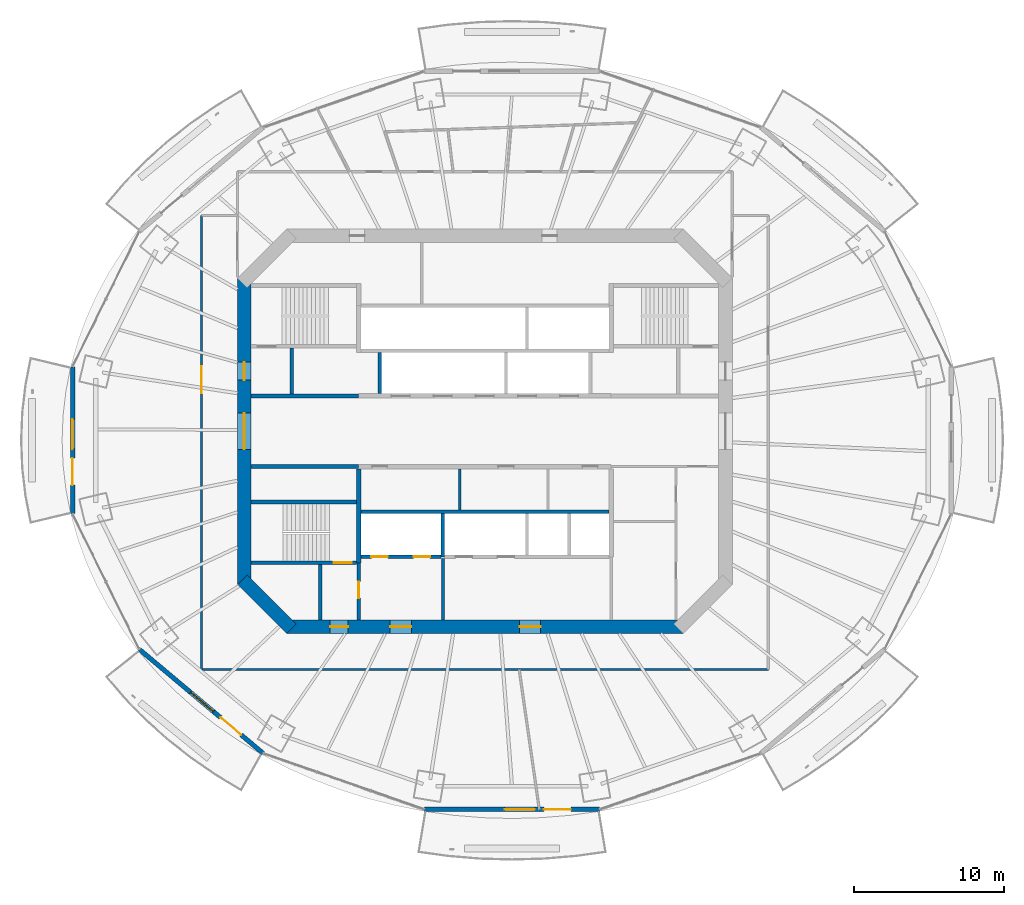
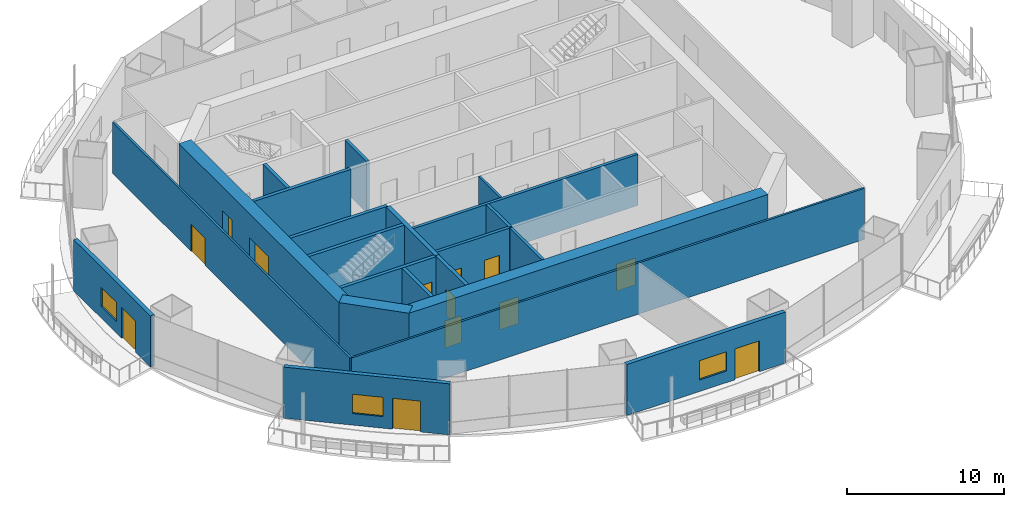
# One storey, part 10 of 19: 22 walls, 13 doors, 3 windows, 16 openings.
"""IFC4 building model written with IfcOpenShell, lengths in metres."""

from ifc_helpers import new_model, si_unit, direction, frame, frame_2d, origin, place, context, subcontext, project, spatial, rectangle, extrude, material, layer, layer_set, type_object, element, fill, save


model = new_model("IFC4")

# Units and contexts
model_context = context("Model", 3, precision=1e-05, world=origin(), true_north=direction((0.0, 1.0)))
body_context = subcontext(model_context, "Body", "Model", "MODEL_VIEW")
ifc_project = project(units=[si_unit("LENGTHUNIT", "METRE"), si_unit("AREAUNIT", "SQUARE_METRE"), si_unit("VOLUMEUNIT", "CUBIC_METRE"), si_unit("PLANEANGLEUNIT", "RADIAN"), si_unit("MASSUNIT", "GRAM", prefix="KILO")], contexts=[model_context])

# Site, building, storey
site_placement = place(None, origin())
site = spatial("IfcSite", under=ifc_project, at=site_placement, CompositionType="ELEMENT")
building_placement = place(site_placement, origin())
building = spatial("IfcBuilding", under=site, at=building_placement, Name="Marenthal Gate Tower", CompositionType="ELEMENT")
storey_placement = place(building_placement, frame((0.0, 0.0, 248.199951171875)))
storey = spatial("IfcBuildingStorey", under=building, at=storey_placement, Name="L55", CompositionType="ELEMENT", Elevation=248.199951171875)

# Wall, openings, doors
ifc_material_1 = material(Name="Concrete 60 MPa", Category="concrete")
ifc_layer_1 = layer(ifc_material_1, 0.89990234375)
ifc_layer_set_1 = layer_set([ifc_layer_1], Name="Core shear wall 900")
wall_type_1 = type_object("IfcWallType", Name="Core shear wall 900", PredefinedType="SHEAR", material=ifc_layer_set_1)
wall_1_placement = place(storey_placement, frame((-16.0, 10.186279296875, -0.179931640625), z_axis=(0.0, 0.0, 1.0), x_axis=(0.0, -1.0, 0.0)))
wall_1 = element("IfcWall", 1, at=wall_1_placement, inside=storey, type_object=wall_type_1, Name="Core wall 06", PredefinedType="SHEAR", context=body_context, shape_type="SweptSolid", body=[
    extrude(rectangle(XDim=20.37255859375, YDim=0.89990234375, at=frame_2d((10.186279296875, 0.0))), origin(), (0.0, 0.0, 1.0), 4.14990234375),
])
opening_1_placement = place(wall_1_placement, frame((8.986328125, 0.0, 0.179931640625)))
opening_1 = element("IfcOpeningElement", 2, at=opening_1_placement, cuts=wall_1, Name="Opening D003.01", PredefinedType="OPENING", context=body_context, shape_type="SweptSolid", body=[
    extrude(rectangle(XDim=2.39990234375, YDim=2.10009765625, at=frame_2d((1.199951171875, 1.050048828125))), frame((0.0, 0.4599609375, 0.0), z_axis=(0.0, -1.0, 0.0), x_axis=(1.0, 0.0, 0.0)), (0.0, 0.0, 1.0), 0.919921875),
])
opening_2_placement = place(wall_1_placement, frame((5.58642578125, 0.0, 0.179931640625)))
opening_2 = element("IfcOpeningElement", 3, at=opening_2_placement, cuts=wall_1, Name="Opening D001.04", PredefinedType="OPENING", context=body_context, shape_type="SweptSolid", body=[
    extrude(rectangle(XDim=1.199951171875, YDim=2.10009765625, at=frame_2d((0.60009765625, 1.050048828125))), frame((0.0, 0.4599609375, 0.0), z_axis=(0.0, -1.0, 0.0), x_axis=(1.0, 0.0, 0.0)), (0.0, 0.0, 1.0), 0.919921875),
])
ifc_material_2 = material(Name="Steel fire door", Category="steel")
door_type_1 = type_object("IfcDoorType", Name="Double fire door FD 45 2400 x 2100", OperationType="DOUBLE_DOOR_SINGLE_SWING", PredefinedType="DOOR", material=ifc_material_2)
door_1_placement = place(opening_1_placement, origin())
door_1 = element("IfcDoor", 4, at=door_1_placement, inside=storey, type_object=door_type_1, Name="Door D003.01", OperationType="DOUBLE_DOOR_SINGLE_SWING", OverallHeight=2.10009765625, OverallWidth=2.39990234375, PredefinedType="DOOR", context=body_context, shape_type="SweptSolid", body=[
    extrude(rectangle(XDim=2.39990234375, YDim=2.10009765625, at=frame_2d((1.199951171875, 1.050048828125))), frame((0.0, 0.02490234375, 0.0), z_axis=(0.0, -1.0, 0.0), x_axis=(1.0, 0.0, 0.0)), (0.0, 0.0, 1.0), 0.050048828125),
])
fill(opening_1, door_1)
ifc_material_3 = material(Name="Steel fire door", Category="steel")
door_type_2 = type_object("IfcDoorType", Name="Fire door FD 90 1200 x 2100", OperationType="NOTDEFINED", PredefinedType="DOOR", material=ifc_material_3)
door_2_placement = place(opening_2_placement, origin())
door_2 = element("IfcDoor", 5, at=door_2_placement, inside=storey, type_object=door_type_2, Name="Door D001.04", OperationType="SINGLE_SWING_RIGHT", OverallHeight=2.10009765625, OverallWidth=1.199951171875, PredefinedType="DOOR", context=body_context, shape_type="SweptSolid", body=[
    extrude(rectangle(XDim=1.199951171875, YDim=2.10009765625, at=frame_2d((0.60009765625, 1.050048828125))), frame((0.0, 0.02490234375, 0.0), z_axis=(0.0, -1.0, 0.0), x_axis=(1.0, 0.0, 0.0)), (0.0, 0.0, 1.0), 0.050048828125),
])
fill(opening_2, door_2)

# Wall
wall_2_placement = place(storey_placement, frame((-16.1318359375, -9.8681640625, -0.179931640625), z_axis=(0.0, 0.0, 1.0), x_axis=(0.707106781187, -0.707106781187, 0.0)))
element("IfcWall", 6, at=wall_2_placement, inside=storey, type_object=wall_type_1, Name="Core wall 07", PredefinedType="SHEAR", context=body_context, shape_type="SweptSolid", body=[
    extrude(rectangle(XDim=4.615478515625, YDim=0.89990234375, at=frame_2d((2.3076171875, 0.0))), origin(), (0.0, 0.0, 1.0), 4.14990234375),
])

# Wall, openings, doors
wall_3_placement = place(storey_placement, frame((-13.186279296875, -13.0, -0.179931640625), z_axis=(0.0, 0.0, 1.0), x_axis=(1.0, 0.0, 0.0)))
wall_3 = element("IfcWall", 7, at=wall_3_placement, inside=storey, type_object=wall_type_1, Name="Core wall 08", PredefinedType="SHEAR", context=body_context, shape_type="SweptSolid", body=[
    extrude(rectangle(XDim=26.37255859375, YDim=0.89990234375, at=frame_2d((13.186279296875, 0.0))), origin(), (0.0, 0.0, 1.0), 4.14990234375),
])
opening_3_placement = place(wall_3_placement, frame((2.886474609375, 0.0, 0.179931640625)))
opening_3 = element("IfcOpeningElement", 8, at=opening_3_placement, cuts=wall_3, Name="Opening D001.06", PredefinedType="OPENING", context=body_context, shape_type="SweptSolid", body=[
    extrude(rectangle(XDim=1.199951171875, YDim=2.10009765625, at=frame_2d((0.60009765625, 1.050048828125))), frame((0.0, 0.4599609375, 0.0), z_axis=(0.0, -1.0, 0.0), x_axis=(1.0, 0.0, 0.0)), (0.0, 0.0, 1.0), 0.919921875),
])
opening_4_placement = place(wall_3_placement, frame((6.886474609375, 0.0, 0.179931640625)))
opening_4 = element("IfcOpeningElement", 9, at=opening_4_placement, cuts=wall_3, Name="Opening D004.01", PredefinedType="OPENING", context=body_context, shape_type="SweptSolid", body=[
    extrude(rectangle(XDim=1.39990234375, YDim=2.10009765625, at=frame_2d((0.699951171875, 1.050048828125))), frame((0.0, 0.4599609375, 0.0), z_axis=(0.0, -1.0, 0.0), x_axis=(1.0, 0.0, 0.0)), (0.0, 0.0, 1.0), 0.919921875),
])
opening_5_placement = place(wall_3_placement, frame((15.486328125, 0.0, 0.179931640625)))
opening_5 = element("IfcOpeningElement", 10, at=opening_5_placement, cuts=wall_3, Name="Opening D004.02", PredefinedType="OPENING", context=body_context, shape_type="SweptSolid", body=[
    extrude(rectangle(XDim=1.39990234375, YDim=2.10009765625, at=frame_2d((0.699951171875, 1.050048828125))), frame((0.0, 0.4599609375, 0.0), z_axis=(0.0, -1.0, 0.0), x_axis=(1.0, 0.0, 0.0)), (0.0, 0.0, 1.0), 0.919921875),
])
ifc_material_4 = material(Name="Steel fire door", Category="steel")
door_type_3 = type_object("IfcDoorType", Name="Fire door FD 45 1400 x 2100", OperationType="NOTDEFINED", PredefinedType="DOOR", material=ifc_material_4)
door_3_placement = place(opening_4_placement, origin())
door_3 = element("IfcDoor", 11, at=door_3_placement, inside=storey, type_object=door_type_3, Name="Door D004.01", OperationType="SINGLE_SWING_RIGHT", OverallHeight=2.10009765625, OverallWidth=1.39990234375, PredefinedType="DOOR", context=body_context, shape_type="SweptSolid", body=[
    extrude(rectangle(XDim=1.39990234375, YDim=2.10009765625, at=frame_2d((0.699951171875, 1.050048828125))), frame((0.0, 0.02490234375, 0.0), z_axis=(0.0, -1.0, 0.0), x_axis=(1.0, 0.0, 0.0)), (0.0, 0.0, 1.0), 0.050048828125),
])
fill(opening_4, door_3)
door_4_placement = place(opening_5_placement, origin())
door_4 = element("IfcDoor", 12, at=door_4_placement, inside=storey, type_object=door_type_3, Name="Door D004.02", OperationType="SINGLE_SWING_RIGHT", OverallHeight=2.10009765625, OverallWidth=1.39990234375, PredefinedType="DOOR", context=body_context, shape_type="SweptSolid", body=[
    extrude(rectangle(XDim=1.39990234375, YDim=2.10009765625, at=frame_2d((0.699951171875, 1.050048828125))), frame((0.0, 0.02490234375, 0.0), z_axis=(0.0, -1.0, 0.0), x_axis=(1.0, 0.0, 0.0)), (0.0, 0.0, 1.0), 0.050048828125),
])
fill(opening_5, door_4)
door_5_placement = place(opening_3_placement, origin())
door_5 = element("IfcDoor", 13, at=door_5_placement, inside=storey, type_object=door_type_2, Name="Door D001.06", OperationType="SINGLE_SWING_RIGHT", OverallHeight=2.10009765625, OverallWidth=1.199951171875, PredefinedType="DOOR", context=body_context, shape_type="SweptSolid", body=[
    extrude(rectangle(XDim=1.199951171875, YDim=2.10009765625, at=frame_2d((0.60009765625, 1.050048828125))), frame((0.0, 0.02490234375, 0.0), z_axis=(0.0, -1.0, 0.0), x_axis=(1.0, 0.0, 0.0)), (0.0, 0.0, 1.0), 0.050048828125),
])
fill(opening_3, door_5)

# Walls
ifc_material_5 = material(Name="Gypsum board on steel studs", Category="steel")
ifc_layer_2 = layer(ifc_material_5, 0.199951171875)
ifc_layer_set_2 = layer_set([ifc_layer_2], Name="Fire lobby wall 200")
wall_type_2 = type_object("IfcWallType", Name="Fire lobby wall 200", PredefinedType="PARTITIONING", material=ifc_layer_set_2)
wall_4_placement = place(storey_placement, frame((-2.800048828125, -12.550048828125, 0.0), z_axis=(0.0, 0.0, 1.0), x_axis=(0.0, 1.0, 0.0)))
element("IfcWall", 14, at=wall_4_placement, inside=storey, type_object=wall_type_2, Name="Fire wall 35", PredefinedType="PARTITIONING", context=body_context, shape_type="SweptSolid", body=[
    extrude(rectangle(XDim=4.090087890625, YDim=0.199951171875, at=frame_2d((2.044921875, 0.0))), origin(), (0.0, 0.0, 1.0), 3.969970703125),
])
ifc_material_6 = material(Name="Concrete 50 MPa", Category="concrete")
ifc_layer_3 = layer(ifc_material_6, 0.300048828125)
ifc_layer_set_3 = layer_set([ifc_layer_3], Name="Hoistway shear wall 300")
wall_type_3 = type_object("IfcWallType", Name="Hoistway shear wall 300", PredefinedType="SHEAR", material=ifc_layer_set_3)
wall_5_placement = place(storey_placement, frame((-8.39990234375, -8.75, -0.179931640625), z_axis=(0.0, 0.0, 1.0), x_axis=(0.0, 1.0, 0.0)))
element("IfcWall", 15, at=wall_5_placement, inside=storey, type_object=wall_type_3, Name="Hoistway wall 30", PredefinedType="SHEAR", context=body_context, shape_type="SweptSolid", body=[
    extrude(rectangle(XDim=6.25, YDim=0.300048828125, at=frame_2d((3.125, 0.0))), origin(), (0.0, 0.0, 1.0), 4.14990234375),
])

# Wall, openings, doors
ifc_material_7 = material(Name="Concrete 40 MPa", Category="concrete")
ifc_layer_4 = layer(ifc_material_7, 0.219970703125)
ifc_layer_set_4 = layer_set([ifc_layer_4], Name="Hoistway wall 220")
wall_type_4 = type_object("IfcWallType", Name="Hoistway wall 220", PredefinedType="STANDARD", material=ifc_layer_set_4)
wall_6_placement = place(storey_placement, frame((-8.25, -8.35009765625, 0.0), z_axis=(0.0, 0.0, 1.0), x_axis=(1.0, 0.0, 0.0)))
wall_6 = element("IfcWall", 16, at=wall_6_placement, inside=storey, type_object=wall_type_4, Name="Hoistway wall 10", PredefinedType="STANDARD", context=body_context, shape_type="SweptSolid", body=[
    extrude(rectangle(XDim=5.340087890625, YDim=0.219970703125, at=frame_2d((2.669921875, 0.0))), origin(), (0.0, 0.0, 1.0), 3.969970703125),
])
opening_6_placement = place(wall_6_placement, frame((0.699951171875, 0.0, 0.0)))
opening_6 = element("IfcOpeningElement", 17, at=opening_6_placement, cuts=wall_6, Name="Opening LD-LF1", PredefinedType="OPENING", context=body_context, shape_type="SweptSolid", body=[
    extrude(rectangle(XDim=1.10009765625, YDim=2.10009765625, at=frame_2d((0.550048828125, 1.050048828125))), frame((0.0, 0.1201171875, 0.0), z_axis=(0.0, -1.0, 0.0), x_axis=(1.0, 0.0, 0.0)), (0.0, 0.0, 1.0), 0.239990234375),
])
opening_7_placement = place(wall_6_placement, frame((3.5, 0.0, 0.0)))
opening_7 = element("IfcOpeningElement", 18, at=opening_7_placement, cuts=wall_6, Name="Opening LD-LF2", PredefinedType="OPENING", context=body_context, shape_type="SweptSolid", body=[
    extrude(rectangle(XDim=1.10009765625, YDim=2.10009765625, at=frame_2d((0.550048828125, 1.050048828125))), frame((0.0, 0.1201171875, 0.0), z_axis=(0.0, -1.0, 0.0), x_axis=(1.0, 0.0, 0.0)), (0.0, 0.0, 1.0), 0.239990234375),
])
ifc_material_8 = material(Name="Stainless steel sliding door", Category="steel")
door_type_4 = type_object("IfcDoorType", Name="Lift landing door FD 90 1100 x 2100", OperationType="DOUBLE_DOOR_SLIDING", PredefinedType="DOOR", material=ifc_material_8)
door_6_placement = place(opening_6_placement, origin())
door_6 = element("IfcDoor", 19, at=door_6_placement, inside=storey, type_object=door_type_4, Name="Lift landing door LF1", OperationType="DOUBLE_DOOR_SLIDING", OverallHeight=2.10009765625, OverallWidth=1.10009765625, PredefinedType="DOOR", context=body_context, shape_type="SweptSolid", body=[
    extrude(rectangle(XDim=1.10009765625, YDim=2.10009765625, at=frame_2d((0.550048828125, 1.050048828125))), frame((0.0, 0.02490234375, 0.0), z_axis=(0.0, -1.0, 0.0), x_axis=(1.0, 0.0, 0.0)), (0.0, 0.0, 1.0), 0.050048828125),
])
fill(opening_6, door_6)
door_7_placement = place(opening_7_placement, origin())
door_7 = element("IfcDoor", 20, at=door_7_placement, inside=storey, type_object=door_type_4, Name="Lift landing door LF2", OperationType="DOUBLE_DOOR_SLIDING", OverallHeight=2.10009765625, OverallWidth=1.10009765625, PredefinedType="DOOR", context=body_context, shape_type="SweptSolid", body=[
    extrude(rectangle(XDim=1.10009765625, YDim=2.10009765625, at=frame_2d((0.550048828125, 1.050048828125))), frame((0.0, 0.02490234375, 0.0), z_axis=(0.0, -1.0, 0.0), x_axis=(1.0, 0.0, 0.0)), (0.0, 0.0, 1.0), 0.050048828125),
])
fill(opening_7, door_7)

# Walls
wall_7_placement = place(storey_placement, frame((-8.25, -5.35009765625, 0.0), z_axis=(0.0, 0.0, 1.0), x_axis=(1.0, 0.0, 0.0)))
element("IfcWall", 21, at=wall_7_placement, inside=storey, type_object=wall_type_4, Name="Hoistway wall 13", PredefinedType="STANDARD", context=body_context, shape_type="SweptSolid", body=[
    extrude(rectangle(XDim=16.5, YDim=0.219970703125, at=frame_2d((8.25, 0.0))), origin(), (0.0, 0.0, 1.0), 3.969970703125),
])
wall_8_placement = place(storey_placement, frame((-7.0, 2.5, 0.0), z_axis=(0.0, 0.0, 1.0), x_axis=(0.0, 1.0, 0.0)))
element("IfcWall", 22, at=wall_8_placement, inside=storey, type_object=wall_type_4, Name="Hoistway wall 33", PredefinedType="STANDARD", context=body_context, shape_type="SweptSolid", body=[
    extrude(rectangle(XDim=2.739990234375, YDim=0.219970703125, at=frame_2d((1.3701171875, 0.0))), origin(), (0.0, 0.0, 1.0), 3.969970703125),
])
wall_9_placement = place(storey_placement, frame((-2.800048828125, -8.35009765625, 0.0), z_axis=(0.0, 0.0, 1.0), x_axis=(0.0, 1.0, 0.0)))
element("IfcWall", 23, at=wall_9_placement, inside=storey, type_object=wall_type_4, Name="Hoistway wall 36", PredefinedType="STANDARD", context=body_context, shape_type="SweptSolid", body=[
    extrude(rectangle(XDim=2.89013671875, YDim=0.219970703125, at=frame_2d((1.445068359375, 0.0))), origin(), (0.0, 0.0, 1.0), 3.969970703125),
])
ifc_material_9 = material(Name="Gypsum board on steel studs", Category="steel")
ifc_layer_5 = layer(ifc_material_9, 0.14990234375)
ifc_layer_set_5 = layer_set([ifc_layer_5], Name="Partition 150")
wall_type_5 = type_object("IfcWallType", Name="Partition 150", PredefinedType="PARTITIONING", material=ifc_layer_set_5)
wall_10_placement = place(storey_placement, frame((-1.679931640625, -5.239990234375, 0.0), z_axis=(0.0, 0.0, 1.0), x_axis=(0.0, 1.0, 0.0)))
element("IfcWall", 24, at=wall_10_placement, inside=storey, type_object=wall_type_5, Name="Partition wall 37", PredefinedType="PARTITIONING", context=body_context, shape_type="SweptSolid", body=[
    extrude(rectangle(XDim=2.739990234375, YDim=0.14990234375, at=frame_2d((1.3701171875, 0.0))), origin(), (0.0, 0.0, 1.0), 3.969970703125),
])

# Wall, opening, door
wall_11_placement = place(storey_placement, frame((-18.85009765625, -15.85009765625, 0.0), z_axis=(0.0, 0.0, 1.0), x_axis=(0.0, 1.0, 0.0)))
wall_11 = element("IfcWall", 25, at=wall_11_placement, inside=storey, type_object=wall_type_5, Name="Partition wall 50", PredefinedType="PARTITIONING", context=body_context, shape_type="SweptSolid", body=[
    extrude(rectangle(XDim=30.207275390625, YDim=0.14990234375, at=frame_2d((15.103515625, 0.0))), origin(), (0.0, 0.0, 1.0), 3.969970703125),
])
opening_8_placement = place(wall_11_placement, frame((18.389892578125, 0.0, 0.0)))
opening_8 = element("IfcOpeningElement", 26, at=opening_8_placement, cuts=wall_11, Name="Opening D014.01", PredefinedType="OPENING", context=body_context, shape_type="SweptSolid", body=[
    extrude(rectangle(XDim=1.800048828125, YDim=2.10009765625, at=frame_2d((0.89990234375, 1.050048828125))), frame((0.0, 0.0849609375, 0.0), z_axis=(0.0, -1.0, 0.0), x_axis=(1.0, 0.0, 0.0)), (0.0, 0.0, 1.0), 0.169921875),
])
ifc_material_10 = material(Name="Timber door", Category="wood")
door_type_5 = type_object("IfcDoorType", Name="Double door 1800 x 2100", OperationType="DOUBLE_DOOR_SINGLE_SWING", PredefinedType="DOOR", material=ifc_material_10)
door_8_placement = place(opening_8_placement, origin())
door_8 = element("IfcDoor", 27, at=door_8_placement, inside=storey, type_object=door_type_5, Name="Door D014.01", OperationType="DOUBLE_DOOR_SINGLE_SWING", OverallHeight=2.10009765625, OverallWidth=1.800048828125, PredefinedType="DOOR", context=body_context, shape_type="SweptSolid", body=[
    extrude(rectangle(XDim=1.800048828125, YDim=2.10009765625, at=frame_2d((0.89990234375, 1.050048828125))), frame((0.0, 0.02490234375, 0.0), z_axis=(0.0, -1.0, 0.0), x_axis=(1.0, 0.0, 0.0)), (0.0, 0.0, 1.0), 0.050048828125),
])
fill(opening_8, door_8)

# Walls
wall_12_placement = place(storey_placement, frame((18.85009765625, -15.85009765625, 0.0), z_axis=(0.0, 0.0, 1.0), x_axis=(-1.0, 0.0, 0.0)))
element("IfcWall", 28, at=wall_12_placement, inside=storey, type_object=wall_type_5, Name="Partition wall 64", PredefinedType="PARTITIONING", context=body_context, shape_type="SweptSolid", body=[
    extrude(rectangle(XDim=37.7001953125, YDim=0.14990234375, at=frame_2d((18.85009765625, 0.0))), origin(), (0.0, 0.0, 1.0), 3.969970703125),
])
ifc_material_11 = material(Name="Concrete 40 MPa", Category="concrete")
ifc_layer_6 = layer(ifc_material_11, 0.25)
ifc_layer_set_6 = layer_set([ifc_layer_6], Name="Stair enclosure wall 250")
wall_type_6 = type_object("IfcWallType", Name="Stair enclosure wall 250", PredefinedType="STANDARD", material=ifc_layer_set_6)
for number, where, z_axis, x_axis, name in (
    (29, (-15.550048828125, -2.35009765625, 0.0), (0.0, 0.0, 1.0), (1.0, 0.0, 0.0), "Stair wall 15"),
    (30, (-15.550048828125, 2.35009765625, 0.0), (0.0, 0.0, 1.0), (1.0, 0.0, 0.0), "Stair wall 18"),
):
    element("IfcWall", number, at=place(storey_placement, frame(where, z_axis=z_axis, x_axis=x_axis)), inside=storey, type_object=wall_type_6, Name=name, PredefinedType="STANDARD", context=body_context, shape_type="SweptSolid", body=[
        extrude(rectangle(XDim=7.150146484375, YDim=0.25, at=frame_2d((3.5751953125, 0.0))), origin(), (0.0, 0.0, 1.0), 3.969970703125),
    ])
wall_13_placement = place(storey_placement, frame((-12.85009765625, 2.47509765625, 0.0), z_axis=(0.0, 0.0, 1.0), x_axis=(0.0, 1.0, 0.0)))
element("IfcWall", 31, at=wall_13_placement, inside=storey, type_object=wall_type_6, Name="Stair wall 27", PredefinedType="STANDARD", context=body_context, shape_type="SweptSolid", body=[
    extrude(rectangle(XDim=3.0498046875, YDim=0.25, at=frame_2d((1.52490234375, 0.0))), origin(), (0.0, 0.0, 1.0), 3.969970703125),
])
wall_14_placement = place(storey_placement, frame((-10.949951171875, -12.550048828125, 0.0), z_axis=(0.0, 0.0, 1.0), x_axis=(0.0, 1.0, 0.0)))
element("IfcWall", 32, at=wall_14_placement, inside=storey, type_object=wall_type_6, Name="Stair wall 28", PredefinedType="STANDARD", context=body_context, shape_type="SweptSolid", body=[
    extrude(rectangle(XDim=3.675048828125, YDim=0.25, at=frame_2d((1.83740234375, 0.0))), origin(), (0.0, 0.0, 1.0), 3.969970703125),
])

# Wall, opening, door
wall_15_placement = place(storey_placement, frame((-8.39990234375, -12.550048828125, 0.0), z_axis=(0.0, 0.0, 1.0), x_axis=(0.0, 1.0, 0.0)))
wall_15 = element("IfcWall", 33, at=wall_15_placement, inside=storey, type_object=wall_type_6, Name="Stair wall 29", PredefinedType="STANDARD", context=body_context, shape_type="SweptSolid", body=[
    extrude(rectangle(XDim=3.800048828125, YDim=0.25, at=frame_2d((1.89990234375, 0.0))), origin(), (0.0, 0.0, 1.0), 3.969970703125),
])
opening_9_placement = place(wall_15_placement, frame((1.449951171875, 0.0, 0.0)))
opening_9 = element("IfcOpeningElement", 34, at=opening_9_placement, cuts=wall_15, Name="Opening D002.01", PredefinedType="OPENING", context=body_context, shape_type="SweptSolid", body=[
    extrude(rectangle(XDim=1.10009765625, YDim=2.10009765625, at=frame_2d((0.550048828125, 1.050048828125))), frame((0.0, 0.135009765625, 0.0), z_axis=(0.0, -1.0, 0.0), x_axis=(1.0, 0.0, 0.0)), (0.0, 0.0, 1.0), 0.27001953125),
])
ifc_material_12 = material(Name="Steel fire door", Category="steel")
door_type_6 = type_object("IfcDoorType", Name="Fire door FD 90 1100 x 2100", OperationType="NOTDEFINED", PredefinedType="DOOR", material=ifc_material_12)
door_9_placement = place(opening_9_placement, origin())
door_9 = element("IfcDoor", 35, at=door_9_placement, inside=storey, type_object=door_type_6, Name="Door D002.01", OperationType="SINGLE_SWING_RIGHT", OverallHeight=2.10009765625, OverallWidth=1.10009765625, PredefinedType="DOOR", context=body_context, shape_type="SweptSolid", body=[
    extrude(rectangle(XDim=1.10009765625, YDim=2.10009765625, at=frame_2d((0.550048828125, 1.050048828125))), frame((0.0, 0.02490234375, 0.0), z_axis=(0.0, -1.0, 0.0), x_axis=(1.0, 0.0, 0.0)), (0.0, 0.0, 1.0), 0.050048828125),
])
fill(opening_9, door_9)

ifc_material_13 = material(Name="Concrete 50 MPa", Category="concrete")
ifc_layer_7 = layer(ifc_material_13, 0.25)
ifc_layer_set_7 = layer_set([ifc_layer_7], Name="Stair shear wall 250")
wall_type_7 = type_object("IfcWallType", Name="Stair shear wall 250", PredefinedType="SHEAR", material=ifc_layer_set_7)
wall_16_placement = place(storey_placement, frame((-15.550048828125, -8.75, -0.179931640625), z_axis=(0.0, 0.0, 1.0), x_axis=(1.0, 0.0, 0.0)))
wall_16 = element("IfcWall", 36, at=wall_16_placement, inside=storey, type_object=wall_type_7, Name="Stair wall 09", PredefinedType="SHEAR", context=body_context, shape_type="SweptSolid", body=[
    extrude(rectangle(XDim=7.0, YDim=0.25, at=frame_2d((3.5, 0.0))), origin(), (0.0, 0.0, 1.0), 4.14990234375),
])
opening_10_placement = place(wall_16_placement, frame((5.5, 0.0, 0.179931640625)))
opening_10 = element("IfcOpeningElement", 37, at=opening_10_placement, cuts=wall_16, Name="Opening D001.03", PredefinedType="OPENING", context=body_context, shape_type="SweptSolid", body=[
    extrude(rectangle(XDim=1.199951171875, YDim=2.10009765625, at=frame_2d((0.60009765625, 1.050048828125))), frame((0.0, 0.135009765625, 0.0), z_axis=(0.0, -1.0, 0.0), x_axis=(1.0, 0.0, 0.0)), (0.0, 0.0, 1.0), 0.27001953125),
])
door_10_placement = place(opening_10_placement, origin())
door_10 = element("IfcDoor", 38, at=door_10_placement, inside=storey, type_object=door_type_2, Name="Door D001.03", OperationType="SINGLE_SWING_RIGHT", OverallHeight=2.10009765625, OverallWidth=1.199951171875, PredefinedType="DOOR", context=body_context, shape_type="SweptSolid", body=[
    extrude(rectangle(XDim=1.199951171875, YDim=2.10009765625, at=frame_2d((0.60009765625, 1.050048828125))), frame((0.0, 0.02490234375, 0.0), z_axis=(0.0, -1.0, 0.0), x_axis=(1.0, 0.0, 0.0)), (0.0, 0.0, 1.0), 0.050048828125),
])
fill(opening_10, door_10)

# Wall
wall_17_placement = place(storey_placement, frame((-15.550048828125, -4.699951171875, -0.179931640625), z_axis=(0.0, 0.0, 1.0), x_axis=(1.0, 0.0, 0.0)))
element("IfcWall", 39, at=wall_17_placement, inside=storey, type_object=wall_type_7, Name="Stair wall 14", PredefinedType="SHEAR", context=body_context, shape_type="SweptSolid", body=[
    extrude(rectangle(XDim=7.0, YDim=0.25, at=frame_2d((3.5, 0.0))), origin(), (0.0, 0.0, 1.0), 4.14990234375),
])

# Wall, openings, door, window
ifc_material_14 = material(Name="Terracotta cladding on insulated concrete-block backing", Category="masonry")
ifc_layer_8 = layer(ifc_material_14, 0.300048828125)
ifc_layer_set_8 = layer_set([ifc_layer_8], Name="Terracotta facade wall 300")
wall_type_8 = type_object("IfcWallType", Name="Terracotta facade wall 300", PredefinedType="SOLIDWALL", material=ifc_layer_set_8)
wall_18_placement = place(storey_placement, frame((-27.430419921875, 4.283935546875, 0.0), z_axis=(0.0, 0.0, 1.0), x_axis=(0.0, -1.0, 0.0)))
wall_18 = element("IfcWall", 40, at=wall_18_placement, inside=storey, type_object=wall_type_8, Name="Terracotta facade wall L55 bay 8", PredefinedType="SOLIDWALL", context=body_context, shape_type="SweptSolid", body=[
    extrude(rectangle(XDim=9.767822265625, YDim=0.300048828125, at=frame_2d((4.8837890625, 0.0))), origin(), (0.0, 0.0, 1.0), 3.969970703125),
])
opening_11_placement = place(wall_18_placement, frame((6.06787109375, 0.0, 0.0)))
opening_11 = element("IfcOpeningElement", 41, at=opening_11_placement, cuts=wall_18, Name="Opening BD-L55-08", PredefinedType="OPENING", context=body_context, shape_type="SweptSolid", body=[
    extrude(rectangle(XDim=1.800048828125, YDim=2.39990234375, at=frame_2d((0.89990234375, 1.199951171875))), frame((0.0, 0.16015625, 0.0), z_axis=(0.0, -1.0, 0.0), x_axis=(1.0, 0.0, 0.0)), (0.0, 0.0, 1.0), 0.320068359375),
])
opening_12_placement = place(wall_18_placement, frame((3.4677734375, 0.0, 0.89990234375)))
opening_12 = element("IfcOpeningElement", 42, at=opening_12_placement, cuts=wall_18, Name="Opening WN2-L55-08", PredefinedType="OPENING", context=body_context, shape_type="SweptSolid", body=[
    extrude(rectangle(XDim=2.0, YDim=1.5, at=frame_2d((1.0, 0.75))), frame((0.0, 0.16015625, 0.0), z_axis=(0.0, -1.0, 0.0), x_axis=(1.0, 0.0, 0.0)), (0.0, 0.0, 1.0), 0.320068359375),
])
ifc_material_15 = material(Name="Aluminium and glass", Category="aluminium")
door_type_7 = type_object("IfcDoorType", Name="Balcony door 1800x2400", OperationType="DOUBLE_DOOR_SINGLE_SWING", PredefinedType="DOOR", material=ifc_material_15)
door_11_placement = place(opening_11_placement, origin())
door_11 = element("IfcDoor", 43, at=door_11_placement, inside=storey, type_object=door_type_7, Name="Balcony door L55 bay 8", OperationType="SINGLE_SWING_LEFT", OverallHeight=2.39990234375, OverallWidth=1.800048828125, PredefinedType="DOOR", context=body_context, shape_type="SweptSolid", body=[
    extrude(rectangle(XDim=1.800048828125, YDim=2.39990234375, at=frame_2d((0.89990234375, 1.199951171875))), frame((0.0, 0.02490234375, 0.0), z_axis=(0.0, -1.0, 0.0), x_axis=(1.0, 0.0, 0.0)), (0.0, 0.0, 1.0), 0.050048828125),
])
fill(opening_11, door_11)
ifc_material_16 = material(Name="Aluminium and glass", Category="aluminium")
window_type = type_object("IfcWindowType", Name="Window 2000x1500", PartitioningType="DOUBLE_PANEL_VERTICAL", PredefinedType="WINDOW", material=ifc_material_16)
window_1_placement = place(opening_12_placement, origin())
window_1 = element("IfcWindow", 44, at=window_1_placement, inside=storey, type_object=window_type, Name="Window L55 bay 8", OverallHeight=1.5, OverallWidth=2.0, PartitioningType="SINGLE_PANEL", PredefinedType="WINDOW", context=body_context, shape_type="SweptSolid", body=[
    extrude(rectangle(XDim=2.0, YDim=1.5, at=frame_2d((1.0, 0.75))), frame((0.0, 0.030029296875, 0.0), z_axis=(0.0, -1.0, 0.0), x_axis=(1.0, 0.0, 0.0)), (0.0, 0.0, 1.0), 0.06005859375),
])
fill(opening_12, window_1)

wall_19_placement = place(storey_placement, frame((-22.980224609375, -14.508056640625, 0.0), z_axis=(0.0, 0.0, 1.0), x_axis=(0.765697698686, -0.643200617403, 0.0)))
wall_19 = element("IfcWall", 45, at=wall_19_placement, inside=storey, type_object=wall_type_8, Name="Terracotta facade wall L55 bay 10", PredefinedType="SOLIDWALL", context=body_context, shape_type="SweptSolid", body=[
    extrude(rectangle(XDim=10.738525390625, YDim=0.300048828125, at=frame_2d((5.369140625, 0.0))), origin(), (0.0, 0.0, 1.0), 3.969970703125),
])
opening_13_placement = place(wall_19_placement, frame((7.03857421875, 0.0, 0.0)))
opening_13 = element("IfcOpeningElement", 46, at=opening_13_placement, cuts=wall_19, Name="Opening BD-L55-10", PredefinedType="OPENING", context=body_context, shape_type="SweptSolid", body=[
    extrude(rectangle(XDim=1.800048828125, YDim=2.39990234375, at=frame_2d((0.89990234375, 1.199951171875))), frame((0.0, 0.16015625, 0.0), z_axis=(0.0, -1.0, 0.0), x_axis=(1.0, 0.0, 0.0)), (0.0, 0.0, 1.0), 0.320068359375),
])
opening_14_placement = place(wall_19_placement, frame((4.4384765625, 0.0, 0.89990234375)))
opening_14 = element("IfcOpeningElement", 47, at=opening_14_placement, cuts=wall_19, Name="Opening WN2-L55-10", PredefinedType="OPENING", context=body_context, shape_type="SweptSolid", body=[
    extrude(rectangle(XDim=2.0, YDim=1.5, at=frame_2d((1.0, 0.75))), frame((0.0, 0.16015625, 0.0), z_axis=(0.0, -1.0, 0.0), x_axis=(1.0, 0.0, 0.0)), (0.0, 0.0, 1.0), 0.320068359375),
])
door_12_placement = place(opening_13_placement, origin())
door_12 = element("IfcDoor", 48, at=door_12_placement, inside=storey, type_object=door_type_7, Name="Balcony door L55 bay 10", OperationType="SINGLE_SWING_LEFT", OverallHeight=2.39990234375, OverallWidth=1.800048828125, PredefinedType="DOOR", context=body_context, shape_type="SweptSolid", body=[
    extrude(rectangle(XDim=1.800048828125, YDim=2.39990234375, at=frame_2d((0.89990234375, 1.199951171875))), frame((0.0, 0.02490234375, 0.0), z_axis=(0.0, -1.0, 0.0), x_axis=(1.0, 0.0, 0.0)), (0.0, 0.0, 1.0), 0.050048828125),
])
fill(opening_13, door_12)
window_2_placement = place(opening_14_placement, origin())
window_2 = element("IfcWindow", 49, at=window_2_placement, inside=storey, type_object=window_type, Name="Window L55 bay 10", OverallHeight=1.5, OverallWidth=2.0, PartitioningType="SINGLE_PANEL", PredefinedType="WINDOW", context=body_context, shape_type="SweptSolid", body=[
    extrude(rectangle(XDim=2.0, YDim=1.5, at=frame_2d((1.0, 0.75))), frame((0.0, 0.030029296875, 0.0), z_axis=(0.0, -1.0, 0.0), x_axis=(1.0, 0.0, 0.0)), (0.0, 0.0, 1.0), 0.06005859375),
])
fill(opening_14, window_2)

wall_20_placement = place(storey_placement, frame((-4.014404296875, -25.153076171875, 0.0), z_axis=(0.0, 0.0, 1.0), x_axis=(1.0, 0.0, 0.0)))
wall_20 = element("IfcWall", 50, at=wall_20_placement, inside=storey, type_object=wall_type_8, Name="Terracotta facade wall L55 bay 12", PredefinedType="SOLIDWALL", context=body_context, shape_type="SweptSolid", body=[
    extrude(rectangle(XDim=11.628662109375, YDim=0.300048828125, at=frame_2d((5.814453125, 0.0))), origin(), (0.0, 0.0, 1.0), 3.969970703125),
])
opening_15_placement = place(wall_20_placement, frame((7.9287109375, 0.0, 0.0)))
opening_15 = element("IfcOpeningElement", 51, at=opening_15_placement, cuts=wall_20, Name="Opening BD-L55-12", PredefinedType="OPENING", context=body_context, shape_type="SweptSolid", body=[
    extrude(rectangle(XDim=1.800048828125, YDim=2.39990234375, at=frame_2d((0.89990234375, 1.199951171875))), frame((0.0, 0.16015625, 0.0), z_axis=(0.0, -1.0, 0.0), x_axis=(1.0, 0.0, 0.0)), (0.0, 0.0, 1.0), 0.320068359375),
])
opening_16_placement = place(wall_20_placement, frame((5.32861328125, 0.0, 0.89990234375)))
opening_16 = element("IfcOpeningElement", 52, at=opening_16_placement, cuts=wall_20, Name="Opening WN2-L55-12", PredefinedType="OPENING", context=body_context, shape_type="SweptSolid", body=[
    extrude(rectangle(XDim=2.0, YDim=1.5, at=frame_2d((1.0, 0.75))), frame((0.0, 0.16015625, 0.0), z_axis=(0.0, -1.0, 0.0), x_axis=(1.0, 0.0, 0.0)), (0.0, 0.0, 1.0), 0.320068359375),
])
door_13_placement = place(opening_15_placement, origin())
door_13 = element("IfcDoor", 53, at=door_13_placement, inside=storey, type_object=door_type_7, Name="Balcony door L55 bay 12", OperationType="SINGLE_SWING_LEFT", OverallHeight=2.39990234375, OverallWidth=1.800048828125, PredefinedType="DOOR", context=body_context, shape_type="SweptSolid", body=[
    extrude(rectangle(XDim=1.800048828125, YDim=2.39990234375, at=frame_2d((0.89990234375, 1.199951171875))), frame((0.0, 0.02490234375, 0.0), z_axis=(0.0, -1.0, 0.0), x_axis=(1.0, 0.0, 0.0)), (0.0, 0.0, 1.0), 0.050048828125),
])
fill(opening_15, door_13)
window_3_placement = place(opening_16_placement, origin())
window_3 = element("IfcWindow", 54, at=window_3_placement, inside=storey, type_object=window_type, Name="Window L55 bay 12", OverallHeight=1.5, OverallWidth=2.0, PartitioningType="SINGLE_PANEL", PredefinedType="WINDOW", context=body_context, shape_type="SweptSolid", body=[
    extrude(rectangle(XDim=2.0, YDim=1.5, at=frame_2d((1.0, 0.75))), frame((0.0, 0.030029296875, 0.0), z_axis=(0.0, -1.0, 0.0), x_axis=(1.0, 0.0, 0.0)), (0.0, 0.0, 1.0), 0.06005859375),
])
fill(opening_16, window_3)

save(model, "model.ifc")
